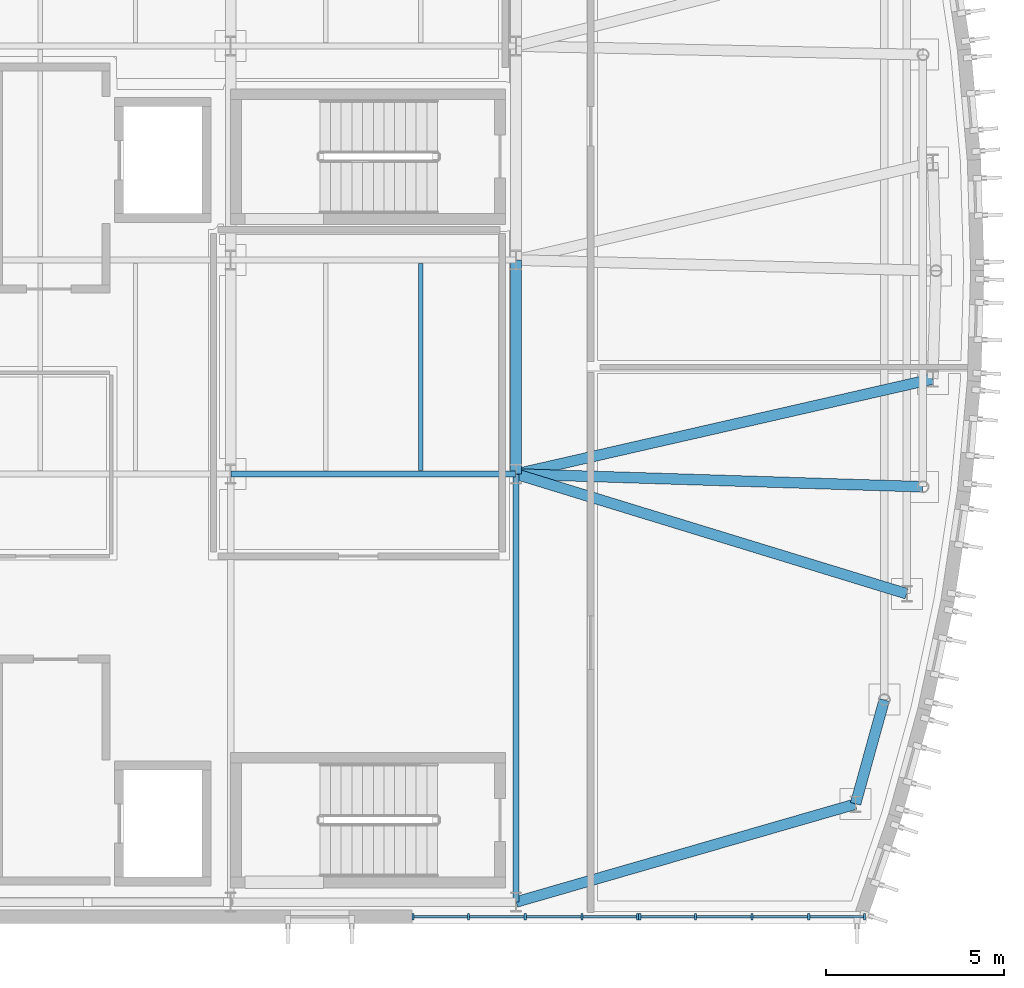
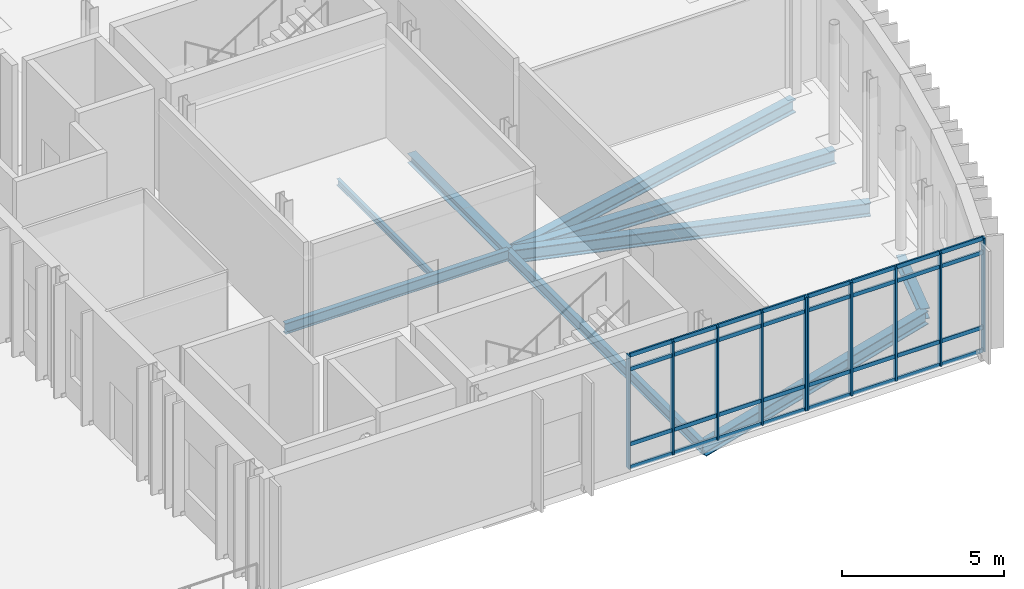
# One storey, part 25 of 62: 42 members, 9 beams, 2 elements without a shape of their own.
"""IFC4 building model written with IfcOpenShell, lengths in metres."""

from ifc_helpers import new_model, si_unit, direction, frame, origin, origin_2d, place, context, subcontext, project, spatial, rectangle, i_section, extrude, material, material_profile, profile_set, type_object, element, aggregate, save


model = new_model("IFC4")

# Units and contexts
model_context = context("Model", 3, precision=1e-05, world=origin(), true_north=direction((0.0, 1.0)))
body_context = subcontext(model_context, "Body", "Model", "MODEL_VIEW")
ifc_project = project(units=[si_unit("LENGTHUNIT", "METRE"), si_unit("AREAUNIT", "SQUARE_METRE"), si_unit("VOLUMEUNIT", "CUBIC_METRE"), si_unit("PLANEANGLEUNIT", "RADIAN"), si_unit("MASSUNIT", "GRAM", prefix="KILO")], contexts=[model_context])

# Site, building, storey
site_placement = place(None, origin())
site = spatial("IfcSite", under=ifc_project, at=site_placement, CompositionType="ELEMENT")
building_placement = place(site_placement, origin())
building = spatial("IfcBuilding", under=site, at=building_placement, Name="Cymarion Research Institute", CompositionType="ELEMENT")
storey_placement = place(building_placement, frame((0.0, 0.0, 18.300048828125)))
storey = spatial("IfcBuildingStorey", under=building, at=storey_placement, Name="L04", CompositionType="ELEMENT", Elevation=18.300048828125)

# Curtain wall, members
ifc_material_1 = material(Name="Anodised aluminium unitised curtain wall with Low-E glazing", Category="aluminium")
curtain_wall_type = type_object("IfcCurtainWallType", Name="UNITISED CURTAIN WALL CW35 6360X4280", PredefinedType="NOTDEFINED", material=ifc_material_1)
curtain_wall_1_placement = place(storey_placement, origin())
curtain_wall_1 = element("IfcCurtainWall", 1, at=curtain_wall_1_placement, inside=storey, type_object=curtain_wall_type, Name="L04 V1 unitised curtain wall CW35 #171", PredefinedType="NOTDEFINED")
ifc_material_2 = material(Name="Anodised aluminium framing", Category="aluminium")
ifc_material_profile_1 = material_profile(ifc_material_2, rectangle(XDim=0.06005859375, YDim=0.179931640625, at=origin_2d()), Name="ALU MULLION 60x180")
ifc_profile_set_1 = profile_set([ifc_material_profile_1], Name="Anodised aluminium framing")
member_type_1 = type_object("IfcMemberType", Name="CURTAIN WALL MULLION ML01 60X180", PredefinedType="MULLION", material=ifc_profile_set_1)
member_1_placement = place(storey_placement, frame((151.7109375, 5.090087890625, 0.0), z_axis=(0.0, 0.0, 1.0), x_axis=(1.0, 0.0, 0.0)))
member_1 = element("IfcMember", 2, at=member_1_placement, type_object=member_type_1, Name="CW35 mullion 1", PredefinedType="MULLION", context=body_context, shape_type="SweptSolid", body=[
    extrude(rectangle(XDim=0.06005859375, YDim=0.179931640625, at=origin_2d()), origin(), (0.0, 0.0, 1.0), 4.280029296875),
])
member_2_placement = place(storey_placement, frame((153.27099609375, 5.090087890625, 0.0), z_axis=(0.0, 0.0, 1.0), x_axis=(1.0, 0.0, 0.0)))
member_2 = element("IfcMember", 3, at=member_2_placement, type_object=member_type_1, Name="CW35 mullion 2", PredefinedType="MULLION", context=body_context, shape_type="SweptSolid", body=[
    extrude(rectangle(XDim=0.06005859375, YDim=0.179931640625, at=origin_2d()), origin(), (0.0, 0.0, 1.0), 4.280029296875),
])
member_3_placement = place(storey_placement, frame((154.86083984375, 5.090087890625, 0.0), z_axis=(0.0, 0.0, 1.0), x_axis=(1.0, 0.0, 0.0)))
member_3 = element("IfcMember", 4, at=member_3_placement, type_object=member_type_1, Name="CW35 mullion 3", PredefinedType="MULLION", context=body_context, shape_type="SweptSolid", body=[
    extrude(rectangle(XDim=0.06005859375, YDim=0.179931640625, at=origin_2d()), origin(), (0.0, 0.0, 1.0), 4.280029296875),
])
member_4_placement = place(storey_placement, frame((156.45068359375, 5.090087890625, 0.0), z_axis=(0.0, 0.0, 1.0), x_axis=(1.0, 0.0, 0.0)))
member_4 = element("IfcMember", 5, at=member_4_placement, type_object=member_type_1, Name="CW35 mullion 4", PredefinedType="MULLION", context=body_context, shape_type="SweptSolid", body=[
    extrude(rectangle(XDim=0.06005859375, YDim=0.179931640625, at=origin_2d()), origin(), (0.0, 0.0, 1.0), 4.280029296875),
])
member_5_placement = place(storey_placement, frame((158.010498046875, 5.090087890625, 0.0), z_axis=(0.0, 0.0, 1.0), x_axis=(1.0, 0.0, 0.0)))
member_5 = element("IfcMember", 6, at=member_5_placement, type_object=member_type_1, Name="CW35 mullion 5", PredefinedType="MULLION", context=body_context, shape_type="SweptSolid", body=[
    extrude(rectangle(XDim=0.06005859375, YDim=0.179931640625, at=origin_2d()), origin(), (0.0, 0.0, 1.0), 4.280029296875),
])

curtain_wall_2_placement = place(storey_placement, origin())
curtain_wall_2 = element("IfcCurtainWall", 7, at=curtain_wall_2_placement, inside=storey, type_object=curtain_wall_type, Name="L04 V1 unitised curtain wall CW35 #172", PredefinedType="NOTDEFINED")
member_6_placement = place(storey_placement, frame((158.070556640625, 5.090087890625, 0.0), z_axis=(0.0, 0.0, 1.0), x_axis=(1.0, 0.0, 0.0)))
member_6 = element("IfcMember", 8, at=member_6_placement, type_object=member_type_1, Name="CW35 mullion 1", PredefinedType="MULLION", context=body_context, shape_type="SweptSolid", body=[
    extrude(rectangle(XDim=0.06005859375, YDim=0.179931640625, at=origin_2d()), origin(), (0.0, 0.0, 1.0), 4.280029296875),
])
member_7_placement = place(storey_placement, frame((159.63037109375, 5.090087890625, 0.0), z_axis=(0.0, 0.0, 1.0), x_axis=(1.0, 0.0, 0.0)))
member_7 = element("IfcMember", 9, at=member_7_placement, type_object=member_type_1, Name="CW35 mullion 2", PredefinedType="MULLION", context=body_context, shape_type="SweptSolid", body=[
    extrude(rectangle(XDim=0.06005859375, YDim=0.179931640625, at=origin_2d()), origin(), (0.0, 0.0, 1.0), 4.280029296875),
])
member_8_placement = place(storey_placement, frame((161.22021484375, 5.090087890625, 0.0), z_axis=(0.0, 0.0, 1.0), x_axis=(1.0, 0.0, 0.0)))
member_8 = element("IfcMember", 10, at=member_8_placement, type_object=member_type_1, Name="CW35 mullion 3", PredefinedType="MULLION", context=body_context, shape_type="SweptSolid", body=[
    extrude(rectangle(XDim=0.06005859375, YDim=0.179931640625, at=origin_2d()), origin(), (0.0, 0.0, 1.0), 4.280029296875),
])
member_9_placement = place(storey_placement, frame((162.81005859375, 5.090087890625, 0.0), z_axis=(0.0, 0.0, 1.0), x_axis=(1.0, 0.0, 0.0)))
member_9 = element("IfcMember", 11, at=member_9_placement, type_object=member_type_1, Name="CW35 mullion 4", PredefinedType="MULLION", context=body_context, shape_type="SweptSolid", body=[
    extrude(rectangle(XDim=0.06005859375, YDim=0.179931640625, at=origin_2d()), origin(), (0.0, 0.0, 1.0), 4.280029296875),
])
member_10_placement = place(storey_placement, frame((164.3701171875, 5.090087890625, 0.0), z_axis=(0.0, 0.0, 1.0), x_axis=(1.0, 0.0, 0.0)))
member_10 = element("IfcMember", 12, at=member_10_placement, type_object=member_type_1, Name="CW35 mullion 5", PredefinedType="MULLION", context=body_context, shape_type="SweptSolid", body=[
    extrude(rectangle(XDim=0.06005859375, YDim=0.179931640625, at=origin_2d()), origin(), (0.0, 0.0, 1.0), 4.280029296875),
])

# Member
ifc_material_profile_2 = material_profile(ifc_material_2, rectangle(XDim=0.06005859375, YDim=0.14990234375, at=origin_2d()), Name="ALU TRANSOM 60x150")
ifc_profile_set_2 = profile_set([ifc_material_profile_2], Name="Anodised aluminium framing")
member_type_2 = type_object("IfcMemberType", Name="CURTAIN WALL TRANSOM TR01 60X150", PredefinedType="USERDEFINED", material=ifc_profile_set_2)
member_11_placement = place(storey_placement, frame((151.740966796875, 5.090087890625, 0.030029296875), z_axis=(1.0, 0.0, 0.0), x_axis=(0.0, 1.0, 0.0)))
member_11 = element("IfcMember", 13, at=member_11_placement, type_object=member_type_2, Name="CW35 transom 1.1", ObjectType="TRANSOM", PredefinedType="USERDEFINED", context=body_context, shape_type="SweptSolid", body=[
    extrude(rectangle(XDim=0.06005859375, YDim=0.14990234375, at=origin_2d()), origin(), (0.0, 0.0, 1.0), 1.5),
])

member_12_placement = place(storey_placement, frame((151.740966796875, 5.090087890625, 0.89990234375), z_axis=(1.0, 0.0, 0.0), x_axis=(0.0, 1.0, 0.0)))
member_12 = element("IfcMember", 14, at=member_12_placement, type_object=member_type_2, Name="CW35 transom 1.2", ObjectType="TRANSOM", PredefinedType="USERDEFINED", context=body_context, shape_type="SweptSolid", body=[
    extrude(rectangle(XDim=0.06005859375, YDim=0.14990234375, at=origin_2d()), origin(), (0.0, 0.0, 1.0), 1.5),
])

member_13_placement = place(storey_placement, frame((151.740966796875, 5.090087890625, 3.72998046875), z_axis=(1.0, 0.0, 0.0), x_axis=(0.0, 1.0, 0.0)))
member_13 = element("IfcMember", 15, at=member_13_placement, type_object=member_type_2, Name="CW35 transom 1.3", ObjectType="TRANSOM", PredefinedType="USERDEFINED", context=body_context, shape_type="SweptSolid", body=[
    extrude(rectangle(XDim=0.06005859375, YDim=0.14990234375, at=origin_2d()), origin(), (0.0, 0.0, 1.0), 1.5),
])

member_14_placement = place(storey_placement, frame((151.740966796875, 5.090087890625, 4.25), z_axis=(1.0, 0.0, 0.0), x_axis=(0.0, 1.0, 0.0)))
member_14 = element("IfcMember", 16, at=member_14_placement, type_object=member_type_2, Name="CW35 transom 1.4", ObjectType="TRANSOM", PredefinedType="USERDEFINED", context=body_context, shape_type="SweptSolid", body=[
    extrude(rectangle(XDim=0.06005859375, YDim=0.14990234375, at=origin_2d()), origin(), (0.0, 0.0, 1.0), 1.5),
])

member_15_placement = place(storey_placement, frame((153.30078125, 5.090087890625, 0.030029296875), z_axis=(1.0, 0.0, 0.0), x_axis=(0.0, 1.0, 0.0)))
member_15 = element("IfcMember", 17, at=member_15_placement, type_object=member_type_2, Name="CW35 transom 2.1", ObjectType="TRANSOM", PredefinedType="USERDEFINED", context=body_context, shape_type="SweptSolid", body=[
    extrude(rectangle(XDim=0.06005859375, YDim=0.14990234375, at=origin_2d()), origin(), (0.0, 0.0, 1.0), 1.530029296875),
])

member_16_placement = place(storey_placement, frame((153.30078125, 5.090087890625, 0.89990234375), z_axis=(1.0, 0.0, 0.0), x_axis=(0.0, 1.0, 0.0)))
member_16 = element("IfcMember", 18, at=member_16_placement, type_object=member_type_2, Name="CW35 transom 2.2", ObjectType="TRANSOM", PredefinedType="USERDEFINED", context=body_context, shape_type="SweptSolid", body=[
    extrude(rectangle(XDim=0.06005859375, YDim=0.14990234375, at=origin_2d()), origin(), (0.0, 0.0, 1.0), 1.530029296875),
])

member_17_placement = place(storey_placement, frame((153.30078125, 5.090087890625, 3.72998046875), z_axis=(1.0, 0.0, 0.0), x_axis=(0.0, 1.0, 0.0)))
member_17 = element("IfcMember", 19, at=member_17_placement, type_object=member_type_2, Name="CW35 transom 2.3", ObjectType="TRANSOM", PredefinedType="USERDEFINED", context=body_context, shape_type="SweptSolid", body=[
    extrude(rectangle(XDim=0.06005859375, YDim=0.14990234375, at=origin_2d()), origin(), (0.0, 0.0, 1.0), 1.530029296875),
])

member_18_placement = place(storey_placement, frame((153.30078125, 5.090087890625, 4.25), z_axis=(1.0, 0.0, 0.0), x_axis=(0.0, 1.0, 0.0)))
member_18 = element("IfcMember", 20, at=member_18_placement, type_object=member_type_2, Name="CW35 transom 2.4", ObjectType="TRANSOM", PredefinedType="USERDEFINED", context=body_context, shape_type="SweptSolid", body=[
    extrude(rectangle(XDim=0.06005859375, YDim=0.14990234375, at=origin_2d()), origin(), (0.0, 0.0, 1.0), 1.530029296875),
])

member_19_placement = place(storey_placement, frame((154.890869140625, 5.090087890625, 0.030029296875), z_axis=(1.0, 0.0, 0.0), x_axis=(0.0, 1.0, 0.0)))
member_19 = element("IfcMember", 21, at=member_19_placement, type_object=member_type_2, Name="CW35 transom 3.1", ObjectType="TRANSOM", PredefinedType="USERDEFINED", context=body_context, shape_type="SweptSolid", body=[
    extrude(rectangle(XDim=0.06005859375, YDim=0.14990234375, at=origin_2d()), origin(), (0.0, 0.0, 1.0), 1.52978515625),
])

member_20_placement = place(storey_placement, frame((154.890869140625, 5.090087890625, 0.89990234375), z_axis=(1.0, 0.0, 0.0), x_axis=(0.0, 1.0, 0.0)))
member_20 = element("IfcMember", 22, at=member_20_placement, type_object=member_type_2, Name="CW35 transom 3.2", ObjectType="TRANSOM", PredefinedType="USERDEFINED", context=body_context, shape_type="SweptSolid", body=[
    extrude(rectangle(XDim=0.06005859375, YDim=0.14990234375, at=origin_2d()), origin(), (0.0, 0.0, 1.0), 1.52978515625),
])

member_21_placement = place(storey_placement, frame((154.890869140625, 5.090087890625, 3.72998046875), z_axis=(1.0, 0.0, 0.0), x_axis=(0.0, 1.0, 0.0)))
member_21 = element("IfcMember", 23, at=member_21_placement, type_object=member_type_2, Name="CW35 transom 3.3", ObjectType="TRANSOM", PredefinedType="USERDEFINED", context=body_context, shape_type="SweptSolid", body=[
    extrude(rectangle(XDim=0.06005859375, YDim=0.14990234375, at=origin_2d()), origin(), (0.0, 0.0, 1.0), 1.52978515625),
])

member_22_placement = place(storey_placement, frame((154.890869140625, 5.090087890625, 4.25), z_axis=(1.0, 0.0, 0.0), x_axis=(0.0, 1.0, 0.0)))
member_22 = element("IfcMember", 24, at=member_22_placement, type_object=member_type_2, Name="CW35 transom 3.4", ObjectType="TRANSOM", PredefinedType="USERDEFINED", context=body_context, shape_type="SweptSolid", body=[
    extrude(rectangle(XDim=0.06005859375, YDim=0.14990234375, at=origin_2d()), origin(), (0.0, 0.0, 1.0), 1.52978515625),
])

member_23_placement = place(storey_placement, frame((156.480712890625, 5.090087890625, 0.030029296875), z_axis=(1.0, 0.0, 0.0), x_axis=(0.0, 1.0, 0.0)))
member_23 = element("IfcMember", 25, at=member_23_placement, type_object=member_type_2, Name="CW35 transom 4.1", ObjectType="TRANSOM", PredefinedType="USERDEFINED", context=body_context, shape_type="SweptSolid", body=[
    extrude(rectangle(XDim=0.06005859375, YDim=0.14990234375, at=origin_2d()), origin(), (0.0, 0.0, 1.0), 1.499755859375),
])

member_24_placement = place(storey_placement, frame((156.480712890625, 5.090087890625, 0.89990234375), z_axis=(1.0, 0.0, 0.0), x_axis=(0.0, 1.0, 0.0)))
member_24 = element("IfcMember", 26, at=member_24_placement, type_object=member_type_2, Name="CW35 transom 4.2", ObjectType="TRANSOM", PredefinedType="USERDEFINED", context=body_context, shape_type="SweptSolid", body=[
    extrude(rectangle(XDim=0.06005859375, YDim=0.14990234375, at=origin_2d()), origin(), (0.0, 0.0, 1.0), 1.499755859375),
])

member_25_placement = place(storey_placement, frame((156.480712890625, 5.090087890625, 3.72998046875), z_axis=(1.0, 0.0, 0.0), x_axis=(0.0, 1.0, 0.0)))
member_25 = element("IfcMember", 27, at=member_25_placement, type_object=member_type_2, Name="CW35 transom 4.3", ObjectType="TRANSOM", PredefinedType="USERDEFINED", context=body_context, shape_type="SweptSolid", body=[
    extrude(rectangle(XDim=0.06005859375, YDim=0.14990234375, at=origin_2d()), origin(), (0.0, 0.0, 1.0), 1.499755859375),
])

member_26_placement = place(storey_placement, frame((156.480712890625, 5.090087890625, 4.25), z_axis=(1.0, 0.0, 0.0), x_axis=(0.0, 1.0, 0.0)))
member_26 = element("IfcMember", 28, at=member_26_placement, type_object=member_type_2, Name="CW35 transom 4.4", ObjectType="TRANSOM", PredefinedType="USERDEFINED", context=body_context, shape_type="SweptSolid", body=[
    extrude(rectangle(XDim=0.06005859375, YDim=0.14990234375, at=origin_2d()), origin(), (0.0, 0.0, 1.0), 1.499755859375),
])

aggregate(curtain_wall_1, [member_1, member_2, member_3, member_4, member_5, member_11, member_12, member_13, member_14, member_15, member_16, member_17, member_18, member_19, member_20, member_21, member_22, member_23, member_24, member_25, member_26])

member_27_placement = place(storey_placement, frame((158.1005859375, 5.090087890625, 0.030029296875), z_axis=(1.0, 0.0, 0.0), x_axis=(0.0, 1.0, 0.0)))
member_27 = element("IfcMember", 29, at=member_27_placement, type_object=member_type_2, Name="CW35 transom 1.1", ObjectType="TRANSOM", PredefinedType="USERDEFINED", context=body_context, shape_type="SweptSolid", body=[
    extrude(rectangle(XDim=0.06005859375, YDim=0.14990234375, at=origin_2d()), origin(), (0.0, 0.0, 1.0), 1.499755859375),
])

member_28_placement = place(storey_placement, frame((158.1005859375, 5.090087890625, 0.89990234375), z_axis=(1.0, 0.0, 0.0), x_axis=(0.0, 1.0, 0.0)))
member_28 = element("IfcMember", 30, at=member_28_placement, type_object=member_type_2, Name="CW35 transom 1.2", ObjectType="TRANSOM", PredefinedType="USERDEFINED", context=body_context, shape_type="SweptSolid", body=[
    extrude(rectangle(XDim=0.06005859375, YDim=0.14990234375, at=origin_2d()), origin(), (0.0, 0.0, 1.0), 1.499755859375),
])

member_29_placement = place(storey_placement, frame((158.1005859375, 5.090087890625, 3.72998046875), z_axis=(1.0, 0.0, 0.0), x_axis=(0.0, 1.0, 0.0)))
member_29 = element("IfcMember", 31, at=member_29_placement, type_object=member_type_2, Name="CW35 transom 1.3", ObjectType="TRANSOM", PredefinedType="USERDEFINED", context=body_context, shape_type="SweptSolid", body=[
    extrude(rectangle(XDim=0.06005859375, YDim=0.14990234375, at=origin_2d()), origin(), (0.0, 0.0, 1.0), 1.499755859375),
])

member_30_placement = place(storey_placement, frame((158.1005859375, 5.090087890625, 4.25), z_axis=(1.0, 0.0, 0.0), x_axis=(0.0, 1.0, 0.0)))
member_30 = element("IfcMember", 32, at=member_30_placement, type_object=member_type_2, Name="CW35 transom 1.4", ObjectType="TRANSOM", PredefinedType="USERDEFINED", context=body_context, shape_type="SweptSolid", body=[
    extrude(rectangle(XDim=0.06005859375, YDim=0.14990234375, at=origin_2d()), origin(), (0.0, 0.0, 1.0), 1.499755859375),
])

member_31_placement = place(storey_placement, frame((159.660400390625, 5.090087890625, 0.030029296875), z_axis=(1.0, 0.0, 0.0), x_axis=(0.0, 1.0, 0.0)))
member_31 = element("IfcMember", 33, at=member_31_placement, type_object=member_type_2, Name="CW35 transom 2.1", ObjectType="TRANSOM", PredefinedType="USERDEFINED", context=body_context, shape_type="SweptSolid", body=[
    extrude(rectangle(XDim=0.06005859375, YDim=0.14990234375, at=origin_2d()), origin(), (0.0, 0.0, 1.0), 1.52978515625),
])

member_32_placement = place(storey_placement, frame((159.660400390625, 5.090087890625, 0.89990234375), z_axis=(1.0, 0.0, 0.0), x_axis=(0.0, 1.0, 0.0)))
member_32 = element("IfcMember", 34, at=member_32_placement, type_object=member_type_2, Name="CW35 transom 2.2", ObjectType="TRANSOM", PredefinedType="USERDEFINED", context=body_context, shape_type="SweptSolid", body=[
    extrude(rectangle(XDim=0.06005859375, YDim=0.14990234375, at=origin_2d()), origin(), (0.0, 0.0, 1.0), 1.52978515625),
])

member_33_placement = place(storey_placement, frame((159.660400390625, 5.090087890625, 3.72998046875), z_axis=(1.0, 0.0, 0.0), x_axis=(0.0, 1.0, 0.0)))
member_33 = element("IfcMember", 35, at=member_33_placement, type_object=member_type_2, Name="CW35 transom 2.3", ObjectType="TRANSOM", PredefinedType="USERDEFINED", context=body_context, shape_type="SweptSolid", body=[
    extrude(rectangle(XDim=0.06005859375, YDim=0.14990234375, at=origin_2d()), origin(), (0.0, 0.0, 1.0), 1.52978515625),
])

member_34_placement = place(storey_placement, frame((159.660400390625, 5.090087890625, 4.25), z_axis=(1.0, 0.0, 0.0), x_axis=(0.0, 1.0, 0.0)))
member_34 = element("IfcMember", 36, at=member_34_placement, type_object=member_type_2, Name="CW35 transom 2.4", ObjectType="TRANSOM", PredefinedType="USERDEFINED", context=body_context, shape_type="SweptSolid", body=[
    extrude(rectangle(XDim=0.06005859375, YDim=0.14990234375, at=origin_2d()), origin(), (0.0, 0.0, 1.0), 1.52978515625),
])

member_35_placement = place(storey_placement, frame((161.250244140625, 5.090087890625, 0.030029296875), z_axis=(1.0, 0.0, 0.0), x_axis=(0.0, 1.0, 0.0)))
member_35 = element("IfcMember", 37, at=member_35_placement, type_object=member_type_2, Name="CW35 transom 3.1", ObjectType="TRANSOM", PredefinedType="USERDEFINED", context=body_context, shape_type="SweptSolid", body=[
    extrude(rectangle(XDim=0.06005859375, YDim=0.14990234375, at=origin_2d()), origin(), (0.0, 0.0, 1.0), 1.52978515625),
])

member_36_placement = place(storey_placement, frame((161.250244140625, 5.090087890625, 0.89990234375), z_axis=(1.0, 0.0, 0.0), x_axis=(0.0, 1.0, 0.0)))
member_36 = element("IfcMember", 38, at=member_36_placement, type_object=member_type_2, Name="CW35 transom 3.2", ObjectType="TRANSOM", PredefinedType="USERDEFINED", context=body_context, shape_type="SweptSolid", body=[
    extrude(rectangle(XDim=0.06005859375, YDim=0.14990234375, at=origin_2d()), origin(), (0.0, 0.0, 1.0), 1.52978515625),
])

member_37_placement = place(storey_placement, frame((161.250244140625, 5.090087890625, 3.72998046875), z_axis=(1.0, 0.0, 0.0), x_axis=(0.0, 1.0, 0.0)))
member_37 = element("IfcMember", 39, at=member_37_placement, type_object=member_type_2, Name="CW35 transom 3.3", ObjectType="TRANSOM", PredefinedType="USERDEFINED", context=body_context, shape_type="SweptSolid", body=[
    extrude(rectangle(XDim=0.06005859375, YDim=0.14990234375, at=origin_2d()), origin(), (0.0, 0.0, 1.0), 1.52978515625),
])

member_38_placement = place(storey_placement, frame((161.250244140625, 5.090087890625, 4.25), z_axis=(1.0, 0.0, 0.0), x_axis=(0.0, 1.0, 0.0)))
member_38 = element("IfcMember", 40, at=member_38_placement, type_object=member_type_2, Name="CW35 transom 3.4", ObjectType="TRANSOM", PredefinedType="USERDEFINED", context=body_context, shape_type="SweptSolid", body=[
    extrude(rectangle(XDim=0.06005859375, YDim=0.14990234375, at=origin_2d()), origin(), (0.0, 0.0, 1.0), 1.52978515625),
])

member_39_placement = place(storey_placement, frame((162.840087890625, 5.090087890625, 0.030029296875), z_axis=(1.0, 0.0, 0.0), x_axis=(0.0, 1.0, 0.0)))
member_39 = element("IfcMember", 41, at=member_39_placement, type_object=member_type_2, Name="CW35 transom 4.1", ObjectType="TRANSOM", PredefinedType="USERDEFINED", context=body_context, shape_type="SweptSolid", body=[
    extrude(rectangle(XDim=0.06005859375, YDim=0.14990234375, at=origin_2d()), origin(), (0.0, 0.0, 1.0), 1.5),
])

member_40_placement = place(storey_placement, frame((162.840087890625, 5.090087890625, 0.89990234375), z_axis=(1.0, 0.0, 0.0), x_axis=(0.0, 1.0, 0.0)))
member_40 = element("IfcMember", 42, at=member_40_placement, type_object=member_type_2, Name="CW35 transom 4.2", ObjectType="TRANSOM", PredefinedType="USERDEFINED", context=body_context, shape_type="SweptSolid", body=[
    extrude(rectangle(XDim=0.06005859375, YDim=0.14990234375, at=origin_2d()), origin(), (0.0, 0.0, 1.0), 1.5),
])

member_41_placement = place(storey_placement, frame((162.840087890625, 5.090087890625, 3.72998046875), z_axis=(1.0, 0.0, 0.0), x_axis=(0.0, 1.0, 0.0)))
member_41 = element("IfcMember", 43, at=member_41_placement, type_object=member_type_2, Name="CW35 transom 4.3", ObjectType="TRANSOM", PredefinedType="USERDEFINED", context=body_context, shape_type="SweptSolid", body=[
    extrude(rectangle(XDim=0.06005859375, YDim=0.14990234375, at=origin_2d()), origin(), (0.0, 0.0, 1.0), 1.5),
])

member_42_placement = place(storey_placement, frame((162.840087890625, 5.090087890625, 4.25), z_axis=(1.0, 0.0, 0.0), x_axis=(0.0, 1.0, 0.0)))
member_42 = element("IfcMember", 44, at=member_42_placement, type_object=member_type_2, Name="CW35 transom 4.4", ObjectType="TRANSOM", PredefinedType="USERDEFINED", context=body_context, shape_type="SweptSolid", body=[
    extrude(rectangle(XDim=0.06005859375, YDim=0.14990234375, at=origin_2d()), origin(), (0.0, 0.0, 1.0), 1.5),
])

aggregate(curtain_wall_2, [member_6, member_7, member_8, member_9, member_10, member_27, member_28, member_29, member_30, member_31, member_32, member_33, member_34, member_35, member_36, member_37, member_38, member_39, member_40, member_41, member_42])

# Beams
ifc_material_3 = material(Name="Steel S355", Category="steel")
ifc_material_profile_3 = material_profile(ifc_material_3, i_section(OverallWidth=0.179931640625, OverallDepth=0.39990234375, WebThickness=0.008544921875, FlangeThickness=0.013427734375, FilletRadius=0.02099609375, at=origin_2d()), Name="IPE 400")
ifc_profile_set_3 = profile_set([ifc_material_profile_3], Name="Steel S355")
beam_type_1 = type_object("IfcBeamType", Name="PRIMARY GIRDER BM05 IPE 400", PredefinedType="BEAM", material=ifc_profile_set_3)
beam_1_placement = place(storey_placement, frame((146.60595703125, 17.5, -0.449951171875), z_axis=(1.0, 0.0, 0.0), x_axis=(0.0, 1.0, 0.0)))
element("IfcBeam", 45, at=beam_1_placement, inside=storey, type_object=beam_type_1, Name="L04 V1 girder BM05 #1607", PredefinedType="BEAM", context=body_context, shape_type="SweptSolid", body=[
    extrude(i_section(OverallWidth=0.179931640625, OverallDepth=0.39990234375, WebThickness=0.008544921875, FlangeThickness=0.013427734375, FilletRadius=0.02099609375, at=origin_2d()), origin(), (0.0, 0.0, 1.0), 7.988037109375),
])
beam_2_placement = place(storey_placement, frame((154.60009765625, 5.506103515625, -0.449951171875), z_axis=(0.0, 1.0, 0.0), x_axis=(-1.0, 0.0, 0.0)))
element("IfcBeam", 46, at=beam_2_placement, inside=storey, type_object=beam_type_1, Name="L04 V1 girder BM05 #1643", PredefinedType="BEAM", context=body_context, shape_type="SweptSolid", body=[
    extrude(i_section(OverallWidth=0.179931640625, OverallDepth=0.39990234375, WebThickness=0.008544921875, FlangeThickness=0.013427734375, FilletRadius=0.02099609375, at=origin_2d()), origin(), (0.0, 0.0, 1.0), 11.98779296875),
])
ifc_material_profile_4 = material_profile(ifc_material_3, i_section(OverallWidth=0.300048828125, OverallDepth=0.5, WebThickness=0.014404296875, FlangeThickness=0.028076171875, FilletRadius=0.027099609375, at=origin_2d()), Name="HEB 500")
ifc_profile_set_4 = profile_set([ifc_material_profile_4], Name="Steel S355")
beam_type_2 = type_object("IfcBeamType", Name="PRIMARY GIRDER BM09 HEB 500", PredefinedType="BEAM", material=ifc_profile_set_4)
beam_3_placement = place(storey_placement, frame((154.607666015625, 5.502197265625, -0.5), z_axis=(0.960790340878, 0.277275893067, 0.0), x_axis=(-0.277275893067, 0.960790340878, 0.0)))
element("IfcBeam", 47, at=beam_3_placement, inside=storey, type_object=beam_type_2, Name="L04 V1 radial prow girder BM09 #1655", PredefinedType="BEAM", context=body_context, shape_type="SweptSolid", body=[
    extrude(i_section(OverallWidth=0.300048828125, OverallDepth=0.5, WebThickness=0.014404296875, FlangeThickness=0.028076171875, FilletRadius=0.027099609375, at=origin_2d()), origin(), (0.0, 0.0, 1.0), 9.8916015625),
])
beam_4_placement = place(storey_placement, frame((154.607666015625, 17.497802734375, -0.5), z_axis=(0.956111343016, -0.29300358318, 0.0), x_axis=(0.29300358318, 0.956111343016, 0.0)))
element("IfcBeam", 48, at=beam_4_placement, inside=storey, type_object=beam_type_2, Name="L04 V1 radial prow girder BM09 #1656", PredefinedType="BEAM", context=body_context, shape_type="SweptSolid", body=[
    extrude(i_section(OverallWidth=0.300048828125, OverallDepth=0.5, WebThickness=0.014404296875, FlangeThickness=0.028076171875, FilletRadius=0.027099609375, at=origin_2d()), origin(), (0.0, 0.0, 1.0), 11.447021484375),
])
beam_5_placement = place(storey_placement, frame((154.60791015625, 17.499755859375, -0.5), z_axis=(0.999510612774, -0.03128154332, 0.0), x_axis=(0.03128154332, 0.999510612774, 0.0)))
element("IfcBeam", 49, at=beam_5_placement, inside=storey, type_object=beam_type_2, Name="L04 V1 radial prow girder BM09 #1657", PredefinedType="BEAM", context=body_context, shape_type="SweptSolid", body=[
    extrude(i_section(OverallWidth=0.300048828125, OverallDepth=0.5, WebThickness=0.014404296875, FlangeThickness=0.028076171875, FilletRadius=0.027099609375, at=origin_2d()), origin(), (0.0, 0.0, 1.0), 11.402587890625),
])
beam_6_placement = place(storey_placement, frame((154.60791015625, 17.501708984375, -0.5), z_axis=(0.974944767555, 0.222447072846, 0.0), x_axis=(-0.222447072846, 0.974944767555, 0.0)))
element("IfcBeam", 50, at=beam_6_placement, inside=storey, type_object=beam_type_2, Name="L04 V1 radial prow girder BM09 #1658", PredefinedType="BEAM", context=body_context, shape_type="SweptSolid", body=[
    extrude(i_section(OverallWidth=0.300048828125, OverallDepth=0.5, WebThickness=0.014404296875, FlangeThickness=0.028076171875, FilletRadius=0.027099609375, at=origin_2d()), origin(), (0.0, 0.0, 1.0), 11.969482421875),
])
ifc_material_profile_5 = material_profile(ifc_material_3, i_section(OverallWidth=0.300048828125, OverallDepth=0.39990234375, WebThickness=0.013427734375, FlangeThickness=0.02392578125, FilletRadius=0.027099609375, at=origin_2d()), Name="HEB 400")
ifc_profile_set_5 = profile_set([ifc_material_profile_5], Name="Steel S355")
beam_type_3 = type_object("IfcBeamType", Name="PRIMARY GIRDER BM11 HEB 400", PredefinedType="BEAM", material=ifc_profile_set_5)
beam_7_placement = place(storey_placement, frame((164.12109375, 8.254638671875, -0.449951171875), z_axis=(0.266488575035, 0.963838077364, 0.0), x_axis=(-0.963838077364, 0.266488575035, 0.0)))
element("IfcBeam", 51, at=beam_7_placement, inside=storey, type_object=beam_type_3, Name="L04 V1 prow ring girder BM11 #1651", PredefinedType="BEAM", context=body_context, shape_type="SweptSolid", body=[
    extrude(i_section(OverallWidth=0.300048828125, OverallDepth=0.39990234375, WebThickness=0.013427734375, FlangeThickness=0.02392578125, FilletRadius=0.027099609375, at=origin_2d()), origin(), (0.0, 0.0, 1.0), 3.01953125),
])
ifc_material_profile_6 = material_profile(ifc_material_3, i_section(OverallWidth=0.300048828125, OverallDepth=0.35009765625, WebThickness=0.010009765625, FlangeThickness=0.017578125, FilletRadius=0.027099609375, at=origin_2d()), Name="HEA 360")
ifc_profile_set_6 = profile_set([ifc_material_profile_6], Name="Steel S355")
beam_type_4 = type_object("IfcBeamType", Name="PRIMARY GIRDER BM12 HEA 360", PredefinedType="BEAM", material=ifc_profile_set_6)
beam_8_placement = place(storey_placement, frame((154.60009765625, 17.506103515625, -0.425048828125), z_axis=(0.0, 1.0, 0.0), x_axis=(-1.0, 0.0, 0.0)))
element("IfcBeam", 52, at=beam_8_placement, inside=storey, type_object=beam_type_4, Name="L04 V1 girder BM12 #1644", PredefinedType="BEAM", context=body_context, shape_type="SweptSolid", body=[
    extrude(i_section(OverallWidth=0.300048828125, OverallDepth=0.35009765625, WebThickness=0.010009765625, FlangeThickness=0.017578125, FilletRadius=0.027099609375, at=origin_2d()), origin(), (0.0, 0.0, 1.0), 5.98779296875),
])
ifc_material_profile_7 = material_profile(ifc_material_3, i_section(OverallWidth=0.1201171875, OverallDepth=0.239990234375, WebThickness=0.006103515625, FlangeThickness=0.009765625, FilletRadius=0.014892578125, at=origin_2d()), Name="IPE 240")
ifc_profile_set_7 = profile_set([ifc_material_profile_7], Name="Steel S355")
beam_type_5 = type_object("IfcBeamType", Name="SECONDARY JOIST JS04 IPE 240", PredefinedType="JOIST", material=ifc_profile_set_7)
beam_9_placement = place(storey_placement, frame((151.933349609375, 17.593994140625, -0.3701171875), z_axis=(0.0, 1.0, 0.0), x_axis=(-1.0, 0.0, 0.0)))
element("IfcBeam", 53, at=beam_9_placement, inside=storey, type_object=beam_type_5, Name="L04 V1 secondary joist JS04 #1692", PredefinedType="JOIST", context=body_context, shape_type="SweptSolid", body=[
    extrude(i_section(OverallWidth=0.1201171875, OverallDepth=0.239990234375, WebThickness=0.006103515625, FlangeThickness=0.009765625, FilletRadius=0.014892578125, at=origin_2d()), origin(), (0.0, 0.0, 1.0), 5.81201171875),
])

save(model, "model.ifc")
